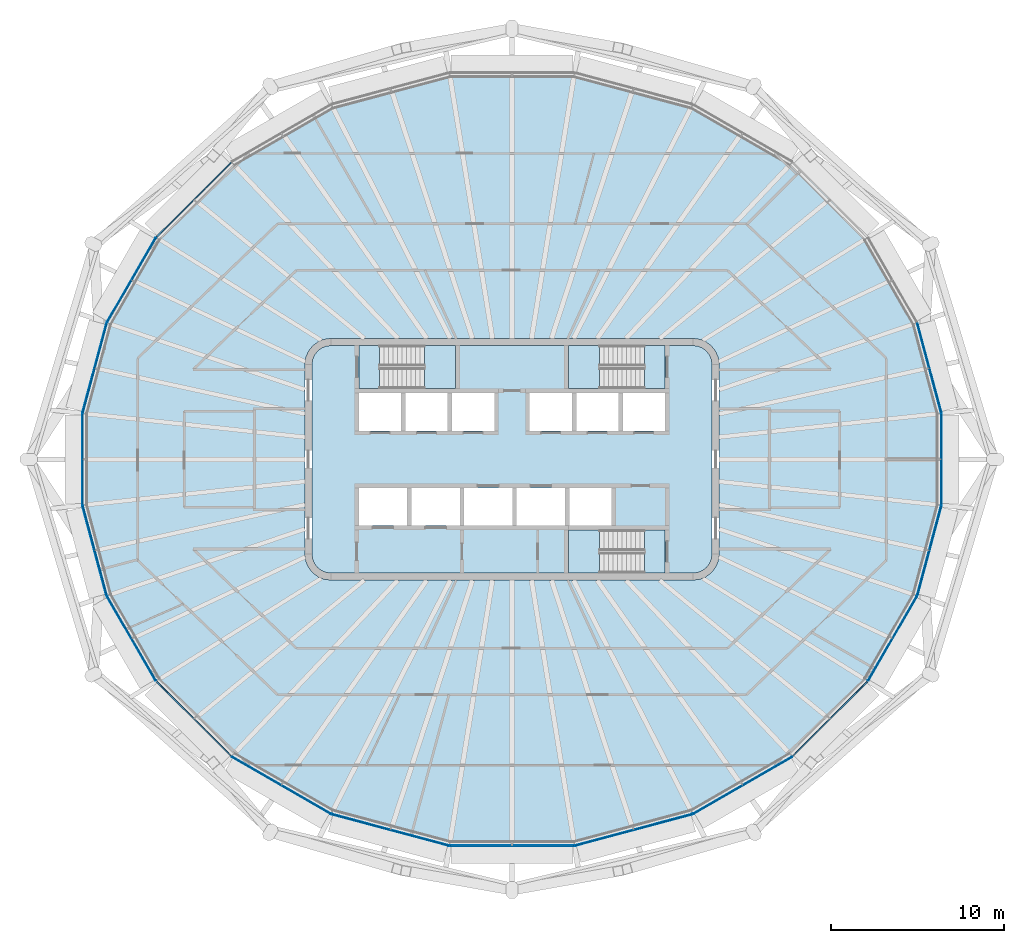
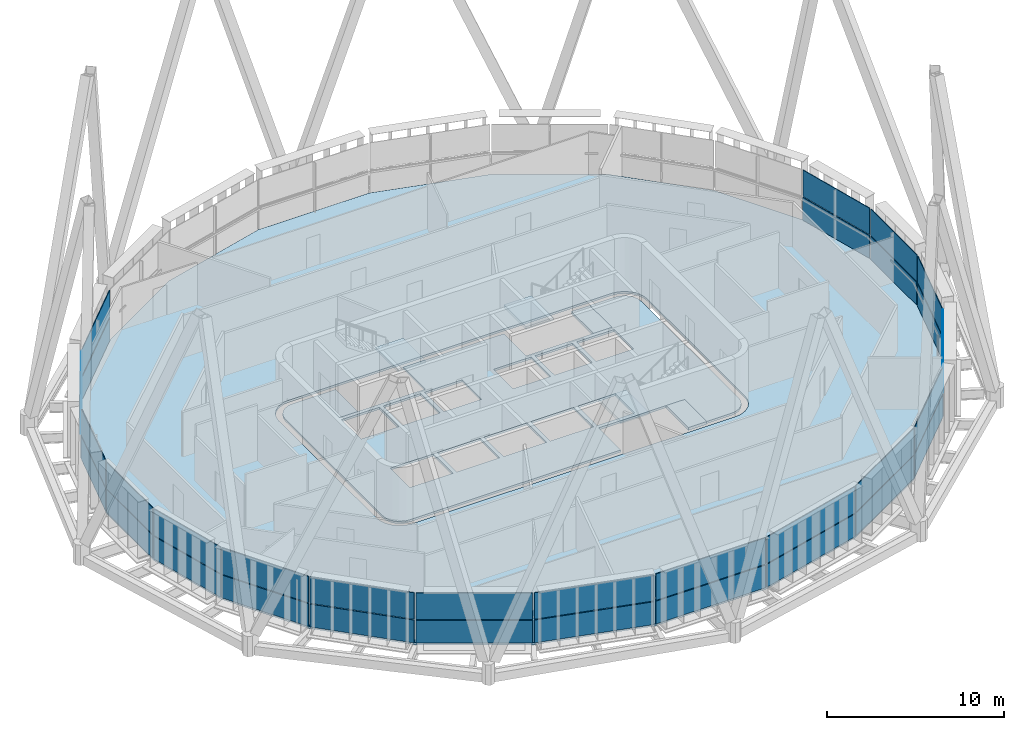
# One storey, part 7 of 18: 34 plates, 8 slabs, 20 elements without a shape of their own.
"""IFC4 building model written with IfcOpenShell, lengths in metres."""

from ifc_helpers import new_model, si_unit, direction, frame, origin, place, context, subcontext, project, spatial, polyline, outline, extrude, material, layer, layer_set, type_object, element, aggregate, save


model = new_model("IFC4")

# Units and contexts
model_context = context("Model", 3, precision=1e-05, world=origin(), true_north=direction((0.0, 1.0)))
body_context = subcontext(model_context, "Body", "Model", "MODEL_VIEW")
ifc_project = project(units=[si_unit("LENGTHUNIT", "METRE"), si_unit("AREAUNIT", "SQUARE_METRE"), si_unit("VOLUMEUNIT", "CUBIC_METRE"), si_unit("PLANEANGLEUNIT", "RADIAN"), si_unit("MASSUNIT", "GRAM", prefix="KILO")], contexts=[model_context])

# Site, building, storey
site_placement = place(None, origin())
site = spatial("IfcSite", under=ifc_project, at=site_placement, CompositionType="ELEMENT")
building_placement = place(site_placement, origin())
building = spatial("IfcBuilding", under=site, at=building_placement, Name="Sahrelin Media Tower", CompositionType="ELEMENT")
storey_placement = place(building_placement, frame((0.0, 0.0, 316.39990234375)))
storey = spatial("IfcBuildingStorey", under=building, at=storey_placement, Name="L70", CompositionType="ELEMENT", Elevation=316.39990234375)

# Slabs
ifc_material_1 = material(Name="Concrete C40/50", Category="concrete")
ifc_layer_1 = layer(ifc_material_1, 0.14990234375)
ifc_layer_set_1 = layer_set([ifc_layer_1], Name="Composite floor slab 150")
slab_type_1 = type_object("IfcSlabType", Name="Composite floor slab 150", PredefinedType="FLOOR", material=ifc_layer_set_1)
placement_1 = place(storey_placement, frame((0.0, 0.0, -0.14990234375)))
element("IfcSlab", 1, at=placement_1, inside=storey, type_object=slab_type_1, Name="Floor slab L70", PredefinedType="FLOOR", context=body_context, shape_type="SweptSolid", body=[
    extrude(outline(polyline([(24.878173828125, -2.6611328125), (24.878173828125, 2.6611328125), (23.474365234375, 7.900634765625), (20.614013671875, 12.8544921875), (16.25244140625, 17.216064453125), (10.47216796875, 20.553466796875), (3.625, 22.38818359375), (-3.625, 22.38818359375), (-10.47216796875, 20.553466796875), (-16.25244140625, 17.216064453125), (-20.614013671875, 12.8544921875), (-23.474365234375, 7.900634765625), (-24.878173828125, 2.6611328125), (-24.878173828125, -2.6611328125), (-23.474365234375, -7.900634765625), (-20.614013671875, -12.8544921875), (-16.25244140625, -17.216064453125), (-10.47216796875, -20.553466796875), (-3.625, -22.38818359375), (3.625, -22.38818359375), (10.47216796875, -20.553466796875), (16.25244140625, -17.216064453125), (20.614013671875, -12.8544921875), (23.474365234375, -7.900634765625), (24.878173828125, -2.6611328125)]), holes=[polyline([(11.948974609375, 5.88818359375), (12.0, 5.5), (12.0, -5.5), (11.948974609375, -5.88818359375), (11.799072265625, -6.25), (11.560791015625, -6.560791015625), (11.25, -6.799072265625), (10.88818359375, -6.948974609375), (10.5, -7.0), (-10.5, -7.0), (-10.88818359375, -6.948974609375), (-11.25, -6.799072265625), (-11.560791015625, -6.560791015625), (-11.799072265625, -6.25), (-11.948974609375, -5.88818359375), (-12.0, -5.5), (-12.0, 5.5), (-11.948974609375, 5.88818359375), (-11.799072265625, 6.25), (-11.560791015625, 6.560791015625), (-11.25, 6.799072265625), (-10.88818359375, 6.948974609375), (-10.5, 7.0), (10.5, 7.0), (10.88818359375, 6.948974609375), (11.25, 6.799072265625), (11.560791015625, 6.560791015625), (11.799072265625, 6.25), (11.948974609375, 5.88818359375)])]), origin(), (0.0, 0.0, 1.0), 0.14990234375),
])
ifc_layer_2 = layer(ifc_material_1, 0.14990234375)
ifc_layer_set_2 = layer_set([ifc_layer_2], Name="Core floor slab 150")
slab_type_2 = type_object("IfcSlabType", Name="Core floor slab 150", PredefinedType="FLOOR", material=ifc_layer_set_2)
element("IfcSlab", 2, at=placement_1, inside=storey, type_object=slab_type_2, Name="Core floor", PredefinedType="FLOOR", context=body_context, shape_type="SweptSolid", body=[
    extrude(outline(polyline([(-11.60009765625, -5.473876953125), (-11.55908203125, -5.78369140625), (-11.44970703125, -6.04833984375), (-11.275390625, -6.275390625), (-11.04833984375, -6.44970703125), (-10.78369140625, -6.55908203125), (-10.473876953125, -6.60009765625), (3.27490234375, -6.60009765625), (3.27490234375, -4.10009765625), (8.875, -4.10009765625), (8.875, -6.60009765625), (10.473876953125, -6.60009765625), (10.78369140625, -6.55908203125), (11.04833984375, -6.44970703125), (11.275390625, -6.275390625), (11.44970703125, -6.04833984375), (11.55908203125, -5.78369140625), (11.60009765625, -5.473876953125), (11.60009765625, 5.473876953125), (11.55908203125, 5.78369140625), (11.44970703125, 6.04833984375), (11.275390625, 6.275390625), (11.04833984375, 6.44970703125), (10.78369140625, 6.55908203125), (10.473876953125, 6.60009765625), (8.875, 6.60009765625), (8.875, 4.10009765625), (3.27490234375, 4.10009765625), (3.27490234375, 6.60009765625), (-3.27490234375, 6.60009765625), (-3.27490234375, 4.10009765625), (-8.875, 4.10009765625), (-8.875, 6.60009765625), (-10.473876953125, 6.60009765625), (-10.78369140625, 6.55908203125), (-11.04833984375, 6.44970703125), (-11.275390625, 6.275390625), (-11.44970703125, 6.04833984375), (-11.55908203125, 5.78369140625), (-11.60009765625, 5.473876953125), (-11.60009765625, -5.473876953125)]), holes=[polyline([(-8.875, 3.85009765625), (-8.875, 1.64990234375), (-6.425048828125, 1.64990234375), (-6.425048828125, 3.85009765625), (-8.875, 3.85009765625)]), polyline([(-3.72509765625, 3.85009765625), (-6.175048828125, 3.85009765625), (-6.175048828125, 1.64990234375), (-3.72509765625, 1.64990234375), (-3.72509765625, 3.85009765625)]), polyline([(-1.02490234375, 1.64990234375), (-1.02490234375, 3.85009765625), (-3.47509765625, 3.85009765625), (-3.47509765625, 1.64990234375), (-1.02490234375, 1.64990234375)]), polyline([(1.02490234375, 1.64990234375), (3.47509765625, 1.64990234375), (3.47509765625, 3.85009765625), (1.02490234375, 3.85009765625), (1.02490234375, 1.64990234375)]), polyline([(3.72509765625, 3.85009765625), (3.72509765625, 1.64990234375), (6.175048828125, 1.64990234375), (6.175048828125, 3.85009765625), (3.72509765625, 3.85009765625)]), polyline([(8.875, 3.85009765625), (6.425048828125, 3.85009765625), (6.425048828125, 1.64990234375), (8.875, 1.64990234375), (8.875, 3.85009765625)]), polyline([(-6.074951171875, -3.85009765625), (-6.074951171875, -1.64990234375), (-8.875, -1.64990234375), (-8.875, -3.85009765625), (-6.074951171875, -3.85009765625)]), polyline([(-5.824951171875, -3.85009765625), (-3.02490234375, -3.85009765625), (-3.02490234375, -1.64990234375), (-5.824951171875, -1.64990234375), (-5.824951171875, -3.85009765625)]), polyline([(-2.77490234375, -1.64990234375), (-2.77490234375, -3.85009765625), (0.02490234375, -3.85009765625), (0.02490234375, -1.64990234375), (-2.77490234375, -1.64990234375)]), polyline([(3.074951171875, -1.64990234375), (0.27490234375, -1.64990234375), (0.27490234375, -3.85009765625), (3.074951171875, -3.85009765625), (3.074951171875, -1.64990234375)]), polyline([(5.77490234375, -3.85009765625), (5.77490234375, -1.64990234375), (3.324951171875, -1.64990234375), (3.324951171875, -3.85009765625), (5.77490234375, -3.85009765625)])]), origin(), (0.0, 0.0, 1.0), 0.14990234375),
])

# Curtain wall, plate
ifc_material_2 = material(Name="Champagne anodised aluminium 6063-T6", Category="aluminium")
ifc_layer_3 = layer(ifc_material_2, 0.14990234375)
ifc_layer_set_3 = layer_set([ifc_layer_3], Name="Tower ribbon curtain wall")
curtain_wall_type = type_object("IfcCurtainWallType", Name="Tower ribbon curtain wall", PredefinedType="NOTDEFINED", material=ifc_layer_set_3)
curtain_wall_1_placement = place(storey_placement, frame((24.898193359375, 0.0, 0.0), z_axis=(0.0, 0.0, 1.0), x_axis=(1.0, 0.0, 0.0)))
curtain_wall_1 = element("IfcCurtainWall", 3, at=curtain_wall_1_placement, inside=storey, type_object=curtain_wall_type, Name="L70:CW:L70-00", PredefinedType="NOTDEFINED")
ifc_material_3 = material(Name="Clear low-iron glazing", Category="glass")
ifc_layer_4 = layer(ifc_material_3, 0.048095703125)
ifc_layer_set_4 = layer_set([ifc_layer_4], Name="Glazing panel 48 mm CW1C")
plate_type_1 = type_object("IfcPlateType", Name="Glazing panel 48 mm CW1C", PredefinedType="CURTAIN_PANEL", material=ifc_layer_set_4)
plate_1_placement = place(storey_placement, frame((24.918212890625, -2.61376953125, 1.630126953125), z_axis=(1.0, 0.0, 0.0), x_axis=(0.0, 1.0, 0.0)))
plate_1 = element("IfcPlate", 4, at=plate_1_placement, type_object=plate_type_1, Name="L70:CWP2:L70-00", PredefinedType="CURTAIN_PANEL", context=body_context, shape_type="SweptSolid", body=[
    extrude(outline(polyline([(0.0, 0.0), (5.2275390625, 0.0), (5.2275390625, 1.818603515625), (0.0, 1.818603515625), (0.0, 0.0)])), origin(), (0.0, 0.0, -1.0), 0.048095703125),
])

curtain_wall_2_placement = place(storey_placement, frame((24.195556640625, 5.285888671875, 0.0), z_axis=(0.0, 0.0, 1.0), x_axis=(1.0, 0.0, 0.0)))
curtain_wall_2 = element("IfcCurtainWall", 5, at=curtain_wall_2_placement, inside=storey, type_object=curtain_wall_type, Name="L70:CW:L70-01", PredefinedType="NOTDEFINED")
plate_2_placement = place(storey_placement, frame((24.904541015625, 2.71728515625, 1.630126953125), z_axis=(0.965925559127, 0.258820042164, 0.0), x_axis=(-0.258820042164, 0.965925559127, 0.0)))
plate_2 = element("IfcPlate", 6, at=plate_2_placement, type_object=plate_type_1, Name="L70:CWP2:L70-01", PredefinedType="CURTAIN_PANEL", context=body_context, shape_type="SweptSolid", body=[
    extrude(outline(polyline([(0.0, 0.0), (5.32958984375, 0.0), (5.32958984375, 1.818603515625), (0.0, 1.818603515625), (0.0, 0.0)])), origin(), (0.0, 0.0, -1.0), 0.048095703125),
])

curtain_wall_3_placement = place(storey_placement, frame((-18.447509765625, 15.049560546875, 0.0), z_axis=(0.0, 0.0, 1.0), x_axis=(1.0, 0.0, 0.0)))
curtain_wall_3 = element("IfcCurtainWall", 7, at=curtain_wall_3_placement, inside=storey, type_object=curtain_wall_type, Name="L70:CW:L70-09", PredefinedType="NOTDEFINED")
plate_3_placement = place(storey_placement, frame((-16.314208984375, 17.2109375, 1.630126953125), z_axis=(-0.707106781187, 0.707106781187, 0.0), x_axis=(-0.707106781187, -0.707106781187, 0.0)))
plate_3 = element("IfcPlate", 8, at=plate_3_placement, type_object=plate_type_1, Name="L70:CWP2:L70-09", PredefinedType="CURTAIN_PANEL", context=body_context, shape_type="SweptSolid", body=[
    extrude(outline(polyline([(0.0, 0.0), (6.073486328125, 0.0), (6.073486328125, 1.818603515625), (0.0, 1.818603515625), (0.0, 0.0)])), origin(), (0.0, 0.0, -1.0), 0.048095703125),
])

curtain_wall_4_placement = place(storey_placement, frame((-22.0615234375, 10.387451171875, 0.0), z_axis=(0.0, 0.0, 1.0), x_axis=(1.0, 0.0, 0.0)))
curtain_wall_4 = element("IfcCurtainWall", 9, at=curtain_wall_4_placement, inside=storey, type_object=curtain_wall_type, Name="L70:CW:L70-10", PredefinedType="NOTDEFINED")
plate_4_placement = place(storey_placement, frame((-20.67236328125, 12.83349609375, 1.630126953125), z_axis=(-0.866025866482, 0.499999198584, 0.0), x_axis=(-0.499999198584, -0.866025866482, 0.0)))
plate_4 = element("IfcPlate", 10, at=plate_4_placement, type_object=plate_type_1, Name="L70:CWP2:L70-10", PredefinedType="CURTAIN_PANEL", context=body_context, shape_type="SweptSolid", body=[
    extrude(outline(polyline([(0.0, 0.0), (5.62548828125, 0.0), (5.62548828125, 1.818603515625), (0.0, 1.818603515625), (0.0, 0.0)])), origin(), (0.0, 0.0, -1.0), 0.048095703125),
])

curtain_wall_5_placement = place(storey_placement, frame((-24.195556640625, 5.285888671875, 0.0), z_axis=(0.0, 0.0, 1.0), x_axis=(1.0, 0.0, 0.0)))
curtain_wall_5 = element("IfcCurtainWall", 11, at=curtain_wall_5_placement, inside=storey, type_object=curtain_wall_type, Name="L70:CW:L70-11", PredefinedType="NOTDEFINED")
plate_5_placement = place(storey_placement, frame((-23.525146484375, 7.865234375, 1.630126953125), z_axis=(-0.965925559127, 0.258820042164, 0.0), x_axis=(-0.258820042164, -0.965925559127, 0.0)))
plate_5 = element("IfcPlate", 12, at=plate_5_placement, type_object=plate_type_1, Name="L70:CWP2:L70-11", PredefinedType="CURTAIN_PANEL", context=body_context, shape_type="SweptSolid", body=[
    extrude(outline(polyline([(0.0, 0.0), (5.32958984375, 0.0), (5.32958984375, 1.818603515625), (0.0, 1.818603515625), (0.0, 0.0)])), origin(), (0.0, 0.0, -1.0), 0.048095703125),
])

curtain_wall_6_placement = place(storey_placement, frame((-24.898193359375, 0.0, 0.0), z_axis=(0.0, 0.0, 1.0), x_axis=(1.0, 0.0, 0.0)))
curtain_wall_6 = element("IfcCurtainWall", 13, at=curtain_wall_6_placement, inside=storey, type_object=curtain_wall_type, Name="L70:CW:L70-12", PredefinedType="NOTDEFINED")
plate_6_placement = place(storey_placement, frame((-24.918212890625, 2.61376953125, 1.630126953125), z_axis=(-1.0, 0.0, 0.0), x_axis=(0.0, -1.0, 0.0)))
plate_6 = element("IfcPlate", 14, at=plate_6_placement, type_object=plate_type_1, Name="L70:CWP2:L70-12", PredefinedType="CURTAIN_PANEL", context=body_context, shape_type="SweptSolid", body=[
    extrude(outline(polyline([(0.0, 0.0), (5.2275390625, 0.0), (5.2275390625, 1.818603515625), (0.0, 1.818603515625), (0.0, 0.0)])), origin(), (0.0, 0.0, -1.0), 0.048095703125),
])

curtain_wall_7_placement = place(storey_placement, frame((-24.195556640625, -5.285888671875, 0.0), z_axis=(0.0, 0.0, 1.0), x_axis=(1.0, 0.0, 0.0)))
curtain_wall_7 = element("IfcCurtainWall", 15, at=curtain_wall_7_placement, inside=storey, type_object=curtain_wall_type, Name="L70:CW:L70-13", PredefinedType="NOTDEFINED")
plate_7_placement = place(storey_placement, frame((-24.904541015625, -2.71728515625, 1.630126953125), z_axis=(-0.965925559127, -0.258820042164, 0.0), x_axis=(0.258820042164, -0.965925559127, 0.0)))
plate_7 = element("IfcPlate", 16, at=plate_7_placement, type_object=plate_type_1, Name="L70:CWP2:L70-13", PredefinedType="CURTAIN_PANEL", context=body_context, shape_type="SweptSolid", body=[
    extrude(outline(polyline([(0.0, 0.0), (5.32958984375, 0.0), (5.32958984375, 1.818603515625), (0.0, 1.818603515625), (0.0, 0.0)])), origin(), (0.0, 0.0, -1.0), 0.048095703125),
])

curtain_wall_8_placement = place(storey_placement, frame((-22.0615234375, -10.3876953125, 0.0), z_axis=(0.0, 0.0, 1.0), x_axis=(1.0, 0.0, 0.0)))
curtain_wall_8 = element("IfcCurtainWall", 17, at=curtain_wall_8_placement, inside=storey, type_object=curtain_wall_type, Name="L70:CW:L70-14", PredefinedType="NOTDEFINED")
plate_8_placement = place(storey_placement, frame((-23.485107421875, -7.961669921875, 1.630126953125), z_axis=(-0.866025866482, -0.499999198584, 0.0), x_axis=(0.499999198584, -0.866025866482, 0.0)))
plate_8 = element("IfcPlate", 18, at=plate_8_placement, type_object=plate_type_1, Name="L70:CWP2:L70-14", PredefinedType="CURTAIN_PANEL", context=body_context, shape_type="SweptSolid", body=[
    extrude(outline(polyline([(0.0, 0.0), (5.62548828125, 0.0), (5.62548828125, 1.818603515625), (0.0, 1.818603515625), (0.0, 0.0)])), origin(), (0.0, 0.0, -1.0), 0.048095703125),
])

curtain_wall_9_placement = place(storey_placement, frame((-18.447509765625, -15.04931640625, 0.0), z_axis=(0.0, 0.0, 1.0), x_axis=(1.0, 0.0, 0.0)))
curtain_wall_9 = element("IfcCurtainWall", 19, at=curtain_wall_9_placement, inside=storey, type_object=curtain_wall_type, Name="L70:CW:L70-15", PredefinedType="NOTDEFINED")
plate_9_placement = place(storey_placement, frame((-20.60888671875, -12.916259765625, 1.630126953125), z_axis=(-0.707106781187, -0.707106781187, 0.0), x_axis=(0.707106781187, -0.707106781187, 0.0)))
plate_9 = element("IfcPlate", 20, at=plate_9_placement, type_object=plate_type_1, Name="L70:CWP2:L70-15", PredefinedType="CURTAIN_PANEL", context=body_context, shape_type="SweptSolid", body=[
    extrude(outline(polyline([(0.0, 0.0), (6.073486328125, 0.0), (6.073486328125, 1.818603515625), (0.0, 1.818603515625), (0.0, 0.0)])), origin(), (0.0, 0.0, -1.0), 0.048095703125),
])

curtain_wall_10_placement = place(storey_placement, frame((-13.372314453125, -18.902099609375, 0.0), z_axis=(0.0, 0.0, 1.0), x_axis=(1.0, 0.0, 0.0)))
curtain_wall_10 = element("IfcCurtainWall", 21, at=curtain_wall_10_placement, inside=storey, type_object=curtain_wall_type, Name="L70:CW:L70-16", PredefinedType="NOTDEFINED")
plate_10_placement = place(storey_placement, frame((-16.2314453125, -17.2744140625, 1.630126953125), z_axis=(-0.50001794124, -0.866015045157, 0.0), x_axis=(0.866015045157, -0.50001794124, 0.0)))
plate_10 = element("IfcPlate", 22, at=plate_10_placement, type_object=plate_type_1, Name="L70:CWP2:L70-16", PredefinedType="CURTAIN_PANEL", context=body_context, shape_type="SweptSolid", body=[
    extrude(outline(polyline([(0.0, 0.0), (6.579833984375, 0.0), (6.579833984375, 1.818603515625), (0.0, 1.818603515625), (0.0, 0.0)])), origin(), (0.0, 0.0, -1.0), 0.048095703125),
])

curtain_wall_11_placement = place(storey_placement, frame((-7.0537109375, -21.489990234375, 0.0), z_axis=(0.0, 0.0, 1.0), x_axis=(1.0, 0.0, 0.0)))
curtain_wall_11 = element("IfcCurtainWall", 23, at=curtain_wall_11_placement, inside=storey, type_object=curtain_wall_type, Name="L70:CW:L70-17", PredefinedType="NOTDEFINED")
plate_11_placement = place(storey_placement, frame((-10.436767578125, -20.6044921875, 1.630126953125), z_axis=(-0.258805297461, -0.965929509854, 0.0), x_axis=(0.965929509854, -0.258805297461, 0.0)))
plate_11 = element("IfcPlate", 24, at=plate_11_placement, type_object=plate_type_1, Name="L70:CWP2:L70-17", PredefinedType="CURTAIN_PANEL", context=body_context, shape_type="SweptSolid", body=[
    extrude(outline(polyline([(0.0, 0.0), (6.993896484375, 0.0), (6.993896484375, 1.818603515625), (0.0, 1.818603515625), (0.0, 0.0)])), origin(), (0.0, 0.0, -1.0), 0.048095703125),
])

curtain_wall_12_placement = place(storey_placement, frame((0.0, -22.408203125, 0.0), z_axis=(0.0, 0.0, 1.0), x_axis=(1.0, 0.0, 0.0)))
curtain_wall_12 = element("IfcCurtainWall", 25, at=curtain_wall_12_placement, inside=storey, type_object=curtain_wall_type, Name="L70:CW:L70-18", PredefinedType="NOTDEFINED")
plate_12_placement = place(storey_placement, frame((-3.57763671875, -22.427978515625, 1.630126953125), z_axis=(0.0, -1.0, 0.0), x_axis=(1.0, 0.0, 0.0)))
plate_12 = element("IfcPlate", 26, at=plate_12_placement, type_object=plate_type_1, Name="L70:CWP2:L70-18", PredefinedType="CURTAIN_PANEL", context=body_context, shape_type="SweptSolid", body=[
    extrude(outline(polyline([(0.0, 0.0), (7.1552734375, 0.0), (7.1552734375, 1.818603515625), (0.0, 1.818603515625), (0.0, 0.0)])), origin(), (0.0, 0.0, -1.0), 0.048095703125),
])

curtain_wall_13_placement = place(storey_placement, frame((7.0537109375, -21.489990234375, 0.0), z_axis=(0.0, 0.0, 1.0), x_axis=(1.0, 0.0, 0.0)))
curtain_wall_13 = element("IfcCurtainWall", 27, at=curtain_wall_13_placement, inside=storey, type_object=curtain_wall_type, Name="L70:CW:L70-19", PredefinedType="NOTDEFINED")
plate_13_placement = place(storey_placement, frame((3.68115234375, -22.41455078125, 1.630126953125), z_axis=(0.258805297461, -0.965929509854, 0.0), x_axis=(0.965929509854, 0.258805297461, 0.0)))
plate_13 = element("IfcPlate", 28, at=plate_13_placement, type_object=plate_type_1, Name="L70:CWP2:L70-19", PredefinedType="CURTAIN_PANEL", context=body_context, shape_type="SweptSolid", body=[
    extrude(outline(polyline([(0.0, 0.0), (6.993896484375, 0.0), (6.993896484375, 1.818603515625), (0.0, 1.818603515625), (0.0, 0.0)])), origin(), (0.0, 0.0, -1.0), 0.048095703125),
])

curtain_wall_14_placement = place(storey_placement, frame((13.372314453125, -18.902099609375, 0.0), z_axis=(0.0, 0.0, 1.0), x_axis=(1.0, 0.0, 0.0)))
curtain_wall_14 = element("IfcCurtainWall", 29, at=curtain_wall_14_placement, inside=storey, type_object=curtain_wall_type, Name="L70:CW:L70-20", PredefinedType="NOTDEFINED")
plate_14_placement = place(storey_placement, frame((10.533203125, -20.564453125, 1.630126953125), z_axis=(0.50001794124, -0.866015045157, 0.0), x_axis=(0.866015045157, 0.50001794124, 0.0)))
plate_14 = element("IfcPlate", 30, at=plate_14_placement, type_object=plate_type_1, Name="L70:CWP2:L70-20", PredefinedType="CURTAIN_PANEL", context=body_context, shape_type="SweptSolid", body=[
    extrude(outline(polyline([(0.0, 0.0), (6.579833984375, 0.0), (6.579833984375, 1.818603515625), (0.0, 1.818603515625), (0.0, 0.0)])), origin(), (0.0, 0.0, -1.0), 0.048095703125),
])

curtain_wall_15_placement = place(storey_placement, frame((18.447509765625, -15.049560546875, 0.0), z_axis=(0.0, 0.0, 1.0), x_axis=(1.0, 0.0, 0.0)))
curtain_wall_15 = element("IfcCurtainWall", 31, at=curtain_wall_15_placement, inside=storey, type_object=curtain_wall_type, Name="L70:CW:L70-21", PredefinedType="NOTDEFINED")
plate_15_placement = place(storey_placement, frame((16.314208984375, -17.2109375, 1.630126953125), z_axis=(0.707106781187, -0.707106781187, 0.0), x_axis=(0.707106781187, 0.707106781187, 0.0)))
plate_15 = element("IfcPlate", 32, at=plate_15_placement, type_object=plate_type_1, Name="L70:CWP2:L70-21", PredefinedType="CURTAIN_PANEL", context=body_context, shape_type="SweptSolid", body=[
    extrude(outline(polyline([(0.0, 0.0), (6.073486328125, 0.0), (6.073486328125, 1.818603515625), (0.0, 1.818603515625), (0.0, 0.0)])), origin(), (0.0, 0.0, -1.0), 0.048095703125),
])

curtain_wall_16_placement = place(storey_placement, frame((22.0615234375, -10.387451171875, 0.0), z_axis=(0.0, 0.0, 1.0), x_axis=(1.0, 0.0, 0.0)))
curtain_wall_16 = element("IfcCurtainWall", 33, at=curtain_wall_16_placement, inside=storey, type_object=curtain_wall_type, Name="L70:CW:L70-22", PredefinedType="NOTDEFINED")
plate_16_placement = place(storey_placement, frame((20.67236328125, -12.83349609375, 1.630126953125), z_axis=(0.866025866482, -0.499999198584, 0.0), x_axis=(0.499999198584, 0.866025866482, 0.0)))
plate_16 = element("IfcPlate", 34, at=plate_16_placement, type_object=plate_type_1, Name="L70:CWP2:L70-22", PredefinedType="CURTAIN_PANEL", context=body_context, shape_type="SweptSolid", body=[
    extrude(outline(polyline([(0.0, 0.0), (5.62548828125, 0.0), (5.62548828125, 1.818603515625), (0.0, 1.818603515625), (0.0, 0.0)])), origin(), (0.0, 0.0, -1.0), 0.048095703125),
])

curtain_wall_17_placement = place(storey_placement, frame((24.195556640625, -5.285888671875, 0.0), z_axis=(0.0, 0.0, 1.0), x_axis=(1.0, 0.0, 0.0)))
curtain_wall_17 = element("IfcCurtainWall", 35, at=curtain_wall_17_placement, inside=storey, type_object=curtain_wall_type, Name="L70:CW:L70-23", PredefinedType="NOTDEFINED")
plate_17_placement = place(storey_placement, frame((23.525146484375, -7.865234375, 1.630126953125), z_axis=(0.965925559127, -0.258820042164, 0.0), x_axis=(0.258820042164, 0.965925559127, 0.0)))
plate_17 = element("IfcPlate", 36, at=plate_17_placement, type_object=plate_type_1, Name="L70:CWP2:L70-23", PredefinedType="CURTAIN_PANEL", context=body_context, shape_type="SweptSolid", body=[
    extrude(outline(polyline([(0.0, 0.0), (5.32958984375, 0.0), (5.32958984375, 1.818603515625), (0.0, 1.818603515625), (0.0, 0.0)])), origin(), (0.0, 0.0, -1.0), 0.048095703125),
])

# Plate
ifc_material_4 = material(Name="Insulated spandrel panel")
ifc_layer_5 = layer(ifc_material_4, 0.06005859375)
ifc_layer_set_5 = layer_set([ifc_layer_5], Name="Spandrel panel 60 mm CW1")
plate_type_2 = type_object("IfcPlateType", Name="Spandrel panel 60 mm CW1", PredefinedType="SHEET", material=ifc_layer_set_5)
plate_18_placement = place(storey_placement, frame((24.918212890625, -2.61376953125, 0.0), z_axis=(1.0, 0.0, 0.0), x_axis=(0.0, 1.0, 0.0)))
plate_18 = element("IfcPlate", 37, at=plate_18_placement, type_object=plate_type_2, Name="L70:CWP1:L70-00", PredefinedType="SHEET", context=body_context, shape_type="SweptSolid", body=[
    extrude(outline(polyline([(0.0, 0.0), (5.2275390625, 0.0), (5.2275390625, 1.570068359375), (0.0, 1.570068359375), (0.0, 0.0)])), origin(), (0.0, 0.0, -1.0), 0.06005859375),
])

aggregate(curtain_wall_1, [plate_18, plate_1])

plate_19_placement = place(storey_placement, frame((24.904541015625, 2.71728515625, 0.0), z_axis=(0.965925559127, 0.258820042164, 0.0), x_axis=(-0.258820042164, 0.965925559127, 0.0)))
plate_19 = element("IfcPlate", 38, at=plate_19_placement, type_object=plate_type_2, Name="L70:CWP1:L70-01", PredefinedType="SHEET", context=body_context, shape_type="SweptSolid", body=[
    extrude(outline(polyline([(0.0, 0.0), (5.32958984375, 0.0), (5.32958984375, 1.570068359375), (0.0, 1.570068359375), (0.0, 0.0)])), origin(), (0.0, 0.0, -1.0), 0.06005859375),
])

aggregate(curtain_wall_2, [plate_19, plate_2])

plate_20_placement = place(storey_placement, frame((-16.314208984375, 17.2109375, 0.0), z_axis=(-0.707106781187, 0.707106781187, 0.0), x_axis=(-0.707106781187, -0.707106781187, 0.0)))
plate_20 = element("IfcPlate", 39, at=plate_20_placement, type_object=plate_type_2, Name="L70:CWP1:L70-09", PredefinedType="SHEET", context=body_context, shape_type="SweptSolid", body=[
    extrude(outline(polyline([(0.0, 0.0), (6.073486328125, 0.0), (6.073486328125, 1.570068359375), (0.0, 1.570068359375), (0.0, 0.0)])), origin(), (0.0, 0.0, -1.0), 0.06005859375),
])

aggregate(curtain_wall_3, [plate_20, plate_3])

plate_21_placement = place(storey_placement, frame((-20.67236328125, 12.83349609375, 0.0), z_axis=(-0.866025866482, 0.499999198584, 0.0), x_axis=(-0.499999198584, -0.866025866482, 0.0)))
plate_21 = element("IfcPlate", 40, at=plate_21_placement, type_object=plate_type_2, Name="L70:CWP1:L70-10", PredefinedType="SHEET", context=body_context, shape_type="SweptSolid", body=[
    extrude(outline(polyline([(0.0, 0.0), (5.62548828125, 0.0), (5.62548828125, 1.570068359375), (0.0, 1.570068359375), (0.0, 0.0)])), origin(), (0.0, 0.0, -1.0), 0.06005859375),
])

aggregate(curtain_wall_4, [plate_21, plate_4])

plate_22_placement = place(storey_placement, frame((-23.525146484375, 7.865234375, 0.0), z_axis=(-0.965925559127, 0.258820042164, 0.0), x_axis=(-0.258820042164, -0.965925559127, 0.0)))
plate_22 = element("IfcPlate", 41, at=plate_22_placement, type_object=plate_type_2, Name="L70:CWP1:L70-11", PredefinedType="SHEET", context=body_context, shape_type="SweptSolid", body=[
    extrude(outline(polyline([(0.0, 0.0), (5.32958984375, 0.0), (5.32958984375, 1.570068359375), (0.0, 1.570068359375), (0.0, 0.0)])), origin(), (0.0, 0.0, -1.0), 0.06005859375),
])

aggregate(curtain_wall_5, [plate_22, plate_5])

plate_23_placement = place(storey_placement, frame((-24.918212890625, 2.61376953125, 0.0), z_axis=(-1.0, 0.0, 0.0), x_axis=(0.0, -1.0, 0.0)))
plate_23 = element("IfcPlate", 42, at=plate_23_placement, type_object=plate_type_2, Name="L70:CWP1:L70-12", PredefinedType="SHEET", context=body_context, shape_type="SweptSolid", body=[
    extrude(outline(polyline([(0.0, 0.0), (5.2275390625, 0.0), (5.2275390625, 1.570068359375), (0.0, 1.570068359375), (0.0, 0.0)])), origin(), (0.0, 0.0, -1.0), 0.06005859375),
])

aggregate(curtain_wall_6, [plate_23, plate_6])

plate_24_placement = place(storey_placement, frame((-24.904541015625, -2.71728515625, 0.0), z_axis=(-0.965925559127, -0.258820042164, 0.0), x_axis=(0.258820042164, -0.965925559127, 0.0)))
plate_24 = element("IfcPlate", 43, at=plate_24_placement, type_object=plate_type_2, Name="L70:CWP1:L70-13", PredefinedType="SHEET", context=body_context, shape_type="SweptSolid", body=[
    extrude(outline(polyline([(0.0, 0.0), (5.32958984375, 0.0), (5.32958984375, 1.570068359375), (0.0, 1.570068359375), (0.0, 0.0)])), origin(), (0.0, 0.0, -1.0), 0.06005859375),
])

aggregate(curtain_wall_7, [plate_24, plate_7])

plate_25_placement = place(storey_placement, frame((-23.485107421875, -7.961669921875, 0.0), z_axis=(-0.866025866482, -0.499999198584, 0.0), x_axis=(0.499999198584, -0.866025866482, 0.0)))
plate_25 = element("IfcPlate", 44, at=plate_25_placement, type_object=plate_type_2, Name="L70:CWP1:L70-14", PredefinedType="SHEET", context=body_context, shape_type="SweptSolid", body=[
    extrude(outline(polyline([(0.0, 0.0), (5.62548828125, 0.0), (5.62548828125, 1.570068359375), (0.0, 1.570068359375), (0.0, 0.0)])), origin(), (0.0, 0.0, -1.0), 0.06005859375),
])

aggregate(curtain_wall_8, [plate_25, plate_8])

plate_26_placement = place(storey_placement, frame((-20.60888671875, -12.916259765625, 0.0), z_axis=(-0.707106781187, -0.707106781187, 0.0), x_axis=(0.707106781187, -0.707106781187, 0.0)))
plate_26 = element("IfcPlate", 45, at=plate_26_placement, type_object=plate_type_2, Name="L70:CWP1:L70-15", PredefinedType="SHEET", context=body_context, shape_type="SweptSolid", body=[
    extrude(outline(polyline([(0.0, 0.0), (6.073486328125, 0.0), (6.073486328125, 1.570068359375), (0.0, 1.570068359375), (0.0, 0.0)])), origin(), (0.0, 0.0, -1.0), 0.06005859375),
])

aggregate(curtain_wall_9, [plate_26, plate_9])

plate_27_placement = place(storey_placement, frame((-16.2314453125, -17.2744140625, 0.0), z_axis=(-0.50001794124, -0.866015045157, 0.0), x_axis=(0.866015045157, -0.50001794124, 0.0)))
plate_27 = element("IfcPlate", 46, at=plate_27_placement, type_object=plate_type_2, Name="L70:CWP1:L70-16", PredefinedType="SHEET", context=body_context, shape_type="SweptSolid", body=[
    extrude(outline(polyline([(0.0, 0.0), (6.579833984375, 0.0), (6.579833984375, 1.570068359375), (0.0, 1.570068359375), (0.0, 0.0)])), origin(), (0.0, 0.0, -1.0), 0.06005859375),
])

aggregate(curtain_wall_10, [plate_27, plate_10])

plate_28_placement = place(storey_placement, frame((-10.436767578125, -20.6044921875, 0.0), z_axis=(-0.258805297461, -0.965929509854, 0.0), x_axis=(0.965929509854, -0.258805297461, 0.0)))
plate_28 = element("IfcPlate", 47, at=plate_28_placement, type_object=plate_type_2, Name="L70:CWP1:L70-17", PredefinedType="SHEET", context=body_context, shape_type="SweptSolid", body=[
    extrude(outline(polyline([(0.0, 0.0), (6.993896484375, 0.0), (6.993896484375, 1.570068359375), (0.0, 1.570068359375), (0.0, 0.0)])), origin(), (0.0, 0.0, -1.0), 0.06005859375),
])

aggregate(curtain_wall_11, [plate_28, plate_11])

plate_29_placement = place(storey_placement, frame((-3.57763671875, -22.427978515625, 0.0), z_axis=(0.0, -1.0, 0.0), x_axis=(1.0, 0.0, 0.0)))
plate_29 = element("IfcPlate", 48, at=plate_29_placement, type_object=plate_type_2, Name="L70:CWP1:L70-18", PredefinedType="SHEET", context=body_context, shape_type="SweptSolid", body=[
    extrude(outline(polyline([(0.0, 0.0), (7.1552734375, 0.0), (7.1552734375, 1.570068359375), (0.0, 1.570068359375), (0.0, 0.0)])), origin(), (0.0, 0.0, -1.0), 0.06005859375),
])

aggregate(curtain_wall_12, [plate_29, plate_12])

plate_30_placement = place(storey_placement, frame((3.68115234375, -22.41455078125, 0.0), z_axis=(0.258805297461, -0.965929509854, 0.0), x_axis=(0.965929509854, 0.258805297461, 0.0)))
plate_30 = element("IfcPlate", 49, at=plate_30_placement, type_object=plate_type_2, Name="L70:CWP1:L70-19", PredefinedType="SHEET", context=body_context, shape_type="SweptSolid", body=[
    extrude(outline(polyline([(0.0, 0.0), (6.993896484375, 0.0), (6.993896484375, 1.570068359375), (0.0, 1.570068359375), (0.0, 0.0)])), origin(), (0.0, 0.0, -1.0), 0.06005859375),
])

aggregate(curtain_wall_13, [plate_30, plate_13])

plate_31_placement = place(storey_placement, frame((10.533203125, -20.564453125, 0.0), z_axis=(0.50001794124, -0.866015045157, 0.0), x_axis=(0.866015045157, 0.50001794124, 0.0)))
plate_31 = element("IfcPlate", 50, at=plate_31_placement, type_object=plate_type_2, Name="L70:CWP1:L70-20", PredefinedType="SHEET", context=body_context, shape_type="SweptSolid", body=[
    extrude(outline(polyline([(0.0, 0.0), (6.579833984375, 0.0), (6.579833984375, 1.570068359375), (0.0, 1.570068359375), (0.0, 0.0)])), origin(), (0.0, 0.0, -1.0), 0.06005859375),
])

aggregate(curtain_wall_14, [plate_31, plate_14])

plate_32_placement = place(storey_placement, frame((16.314208984375, -17.2109375, 0.0), z_axis=(0.707106781187, -0.707106781187, 0.0), x_axis=(0.707106781187, 0.707106781187, 0.0)))
plate_32 = element("IfcPlate", 51, at=plate_32_placement, type_object=plate_type_2, Name="L70:CWP1:L70-21", PredefinedType="SHEET", context=body_context, shape_type="SweptSolid", body=[
    extrude(outline(polyline([(0.0, 0.0), (6.073486328125, 0.0), (6.073486328125, 1.570068359375), (0.0, 1.570068359375), (0.0, 0.0)])), origin(), (0.0, 0.0, -1.0), 0.06005859375),
])

aggregate(curtain_wall_15, [plate_32, plate_15])

plate_33_placement = place(storey_placement, frame((20.67236328125, -12.83349609375, 0.0), z_axis=(0.866025866482, -0.499999198584, 0.0), x_axis=(0.499999198584, 0.866025866482, 0.0)))
plate_33 = element("IfcPlate", 52, at=plate_33_placement, type_object=plate_type_2, Name="L70:CWP1:L70-22", PredefinedType="SHEET", context=body_context, shape_type="SweptSolid", body=[
    extrude(outline(polyline([(0.0, 0.0), (5.62548828125, 0.0), (5.62548828125, 1.570068359375), (0.0, 1.570068359375), (0.0, 0.0)])), origin(), (0.0, 0.0, -1.0), 0.06005859375),
])

aggregate(curtain_wall_16, [plate_33, plate_16])

plate_34_placement = place(storey_placement, frame((23.525146484375, -7.865234375, 0.0), z_axis=(0.965925559127, -0.258820042164, 0.0), x_axis=(0.258820042164, 0.965925559127, 0.0)))
plate_34 = element("IfcPlate", 53, at=plate_34_placement, type_object=plate_type_2, Name="L70:CWP1:L70-23", PredefinedType="SHEET", context=body_context, shape_type="SweptSolid", body=[
    extrude(outline(polyline([(0.0, 0.0), (5.32958984375, 0.0), (5.32958984375, 1.570068359375), (0.0, 1.570068359375), (0.0, 0.0)])), origin(), (0.0, 0.0, -1.0), 0.06005859375),
])

aggregate(curtain_wall_17, [plate_34, plate_17])

# Stair, slabs
stair_type = type_object("IfcStairType", Name="Exit stair 1200", PredefinedType="HALF_TURN_STAIR", material=ifc_material_1)
placement_2 = place(storey_placement, origin())
stair_1 = element("IfcStair", 54, at=placement_2, inside=storey, type_object=stair_type, Name="L70 Exit stair ST1", PredefinedType="HALF_TURN_STAIR")
ifc_layer_6 = layer(ifc_material_1, 0.199951171875)
ifc_layer_set_6 = layer_set([ifc_layer_6], Name="Stair landing 200")
slab_type_3 = type_object("IfcSlabType", Name="Stair landing 200", PredefinedType="LANDING", material=ifc_layer_set_6)
placement_3 = place(storey_placement, frame((0.0, 0.0, 1.800048828125)))
slab_3 = element("IfcSlab", 55, at=placement_3, type_object=slab_type_3, Name="ST1 landing 1", PredefinedType="LANDING", context=body_context, shape_type="SweptSolid", body=[
    extrude(outline(polyline([(-5.074951171875, 4.10009765625), (-3.27490234375, 4.10009765625), (-3.27490234375, 6.60009765625), (-5.074951171875, 6.60009765625), (-5.074951171875, 4.10009765625)])), origin(), (0.0, 0.0, 1.0), 0.199951171875),
])
placement_4 = place(storey_placement, frame((0.0, 0.0, -0.199951171875)))
slab_4 = element("IfcSlab", 56, at=placement_4, type_object=slab_type_3, Name="ST1 landing 2", PredefinedType="LANDING", context=body_context, shape_type="SweptSolid", body=[
    extrude(outline(polyline([(-8.875, 4.10009765625), (-7.675048828125, 4.10009765625), (-7.675048828125, 6.60009765625), (-8.875, 6.60009765625), (-8.875, 4.10009765625)])), origin(), (0.0, 0.0, 1.0), 0.199951171875),
])
aggregate(stair_1, [slab_3, slab_4])

stair_2 = element("IfcStair", 57, at=placement_2, inside=storey, type_object=stair_type, Name="L70 Exit stair ST3", PredefinedType="HALF_TURN_STAIR")
slab_5 = element("IfcSlab", 58, at=placement_3, type_object=slab_type_3, Name="ST3 landing 1", PredefinedType="LANDING", context=body_context, shape_type="SweptSolid", body=[
    extrude(outline(polyline([(5.074951171875, 6.60009765625), (3.27490234375, 6.60009765625), (3.27490234375, 4.10009765625), (5.074951171875, 4.10009765625), (5.074951171875, 6.60009765625)])), origin(), (0.0, 0.0, 1.0), 0.199951171875),
])
slab_6 = element("IfcSlab", 59, at=placement_4, type_object=slab_type_3, Name="ST3 landing 2", PredefinedType="LANDING", context=body_context, shape_type="SweptSolid", body=[
    extrude(outline(polyline([(8.875, 6.60009765625), (7.675048828125, 6.60009765625), (7.675048828125, 4.10009765625), (8.875, 4.10009765625), (8.875, 6.60009765625)])), origin(), (0.0, 0.0, 1.0), 0.199951171875),
])
aggregate(stair_2, [slab_5, slab_6])

stair_3 = element("IfcStair", 60, at=placement_2, inside=storey, type_object=stair_type, Name="L70 Exit stair ST2", PredefinedType="HALF_TURN_STAIR")
slab_7 = element("IfcSlab", 61, at=placement_3, type_object=slab_type_3, Name="ST2 landing 1", PredefinedType="LANDING", context=body_context, shape_type="SweptSolid", body=[
    extrude(outline(polyline([(5.074951171875, -4.10009765625), (3.27490234375, -4.10009765625), (3.27490234375, -6.60009765625), (5.074951171875, -6.60009765625), (5.074951171875, -4.10009765625)])), origin(), (0.0, 0.0, 1.0), 0.199951171875),
])
slab_8 = element("IfcSlab", 62, at=placement_4, type_object=slab_type_3, Name="ST2 landing 2", PredefinedType="LANDING", context=body_context, shape_type="SweptSolid", body=[
    extrude(outline(polyline([(8.875, -4.10009765625), (7.675048828125, -4.10009765625), (7.675048828125, -6.60009765625), (8.875, -6.60009765625), (8.875, -4.10009765625)])), origin(), (0.0, 0.0, 1.0), 0.199951171875),
])
aggregate(stair_3, [slab_7, slab_8])

save(model, "model.ifc")
